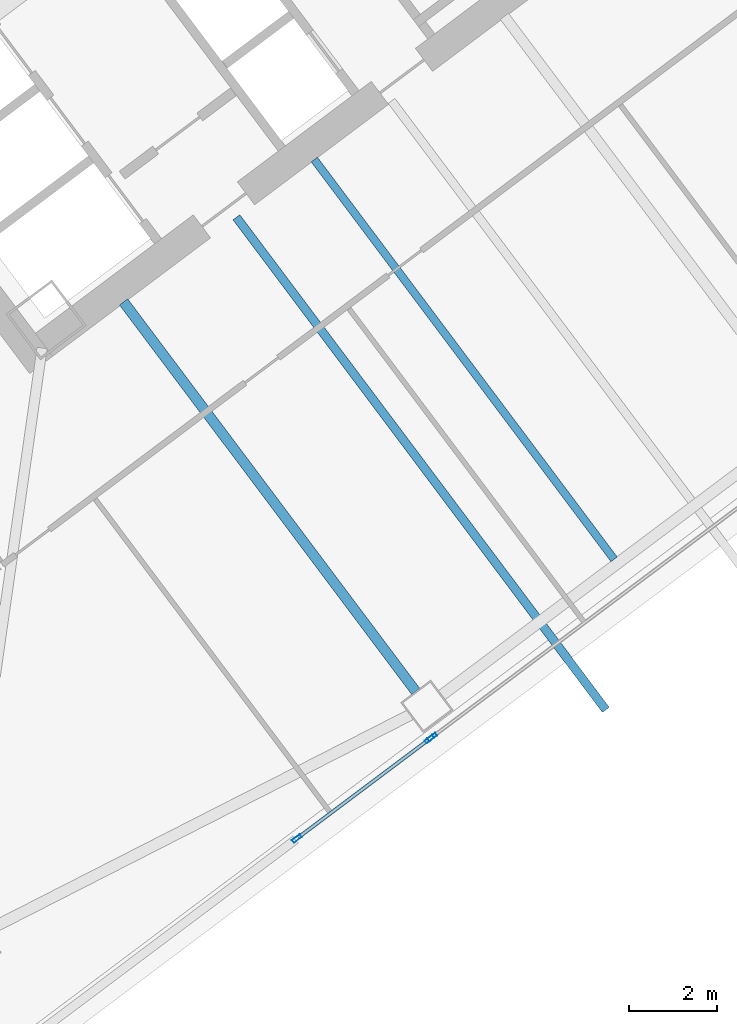
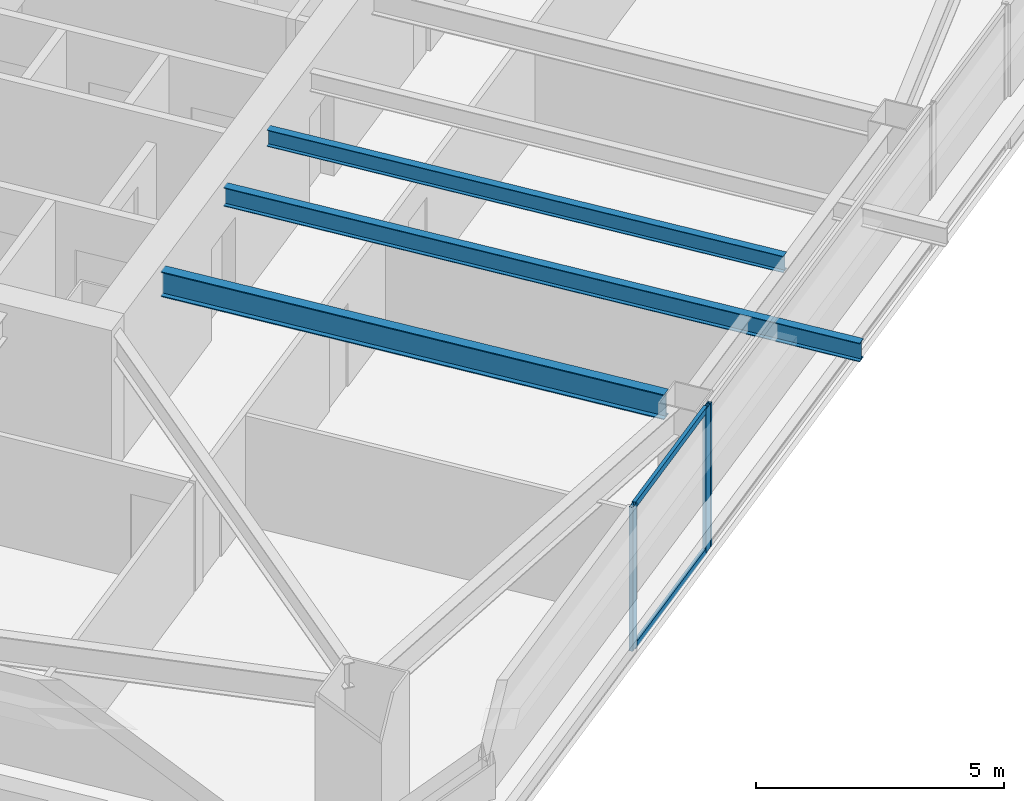
# One storey, part 23 of 44: 5 members, 3 beams, 2 elements without a shape of their own.
"""IFC4 building model written with IfcOpenShell, lengths in metres."""

from ifc_helpers import new_model, si_unit, direction, frame, origin, origin_2d, place, context, subcontext, project, spatial, hollow_rectangle, i_section, extrude, material, material_profile, profile_set, type_object, element, aggregate, save


model = new_model("IFC4")

# Units and contexts
model_context = context("Model", 3, precision=1e-05, world=origin(), true_north=direction((0.0, 1.0)))
body_context = subcontext(model_context, "Body", "Model", "MODEL_VIEW")
ifc_project = project(units=[si_unit("LENGTHUNIT", "METRE"), si_unit("AREAUNIT", "SQUARE_METRE"), si_unit("VOLUMEUNIT", "CUBIC_METRE"), si_unit("PLANEANGLEUNIT", "RADIAN"), si_unit("MASSUNIT", "GRAM", prefix="KILO")], contexts=[model_context])

# Site, building, storey
site_placement = place(None, origin())
site = spatial("IfcSite", under=ifc_project, at=site_placement, CompositionType="ELEMENT")
building_placement = place(site_placement, origin())
building = spatial("IfcBuilding", under=site, at=building_placement, Name="Tashvorn Skyway Center", CompositionType="ELEMENT")
storey_placement = place(building_placement, frame((0.0, 0.0, 74.300048828125)))
storey = spatial("IfcBuildingStorey", under=building, at=storey_placement, Name="L19", CompositionType="ELEMENT", Elevation=74.300048828125)

# Beams
ifc_material_1 = material(Name="Steel ASTM A992 Grade 50", Category="steel")
ifc_material_profile_1 = material_profile(ifc_material_1, i_section(OverallWidth=0.22998046875, OverallDepth=0.616943359375, WebThickness=0.01318359375, FlangeThickness=0.022216796875, at=origin_2d()), Name="W24X94")
ifc_profile_set_1 = profile_set([ifc_material_profile_1], Name="Steel ASTM A992 Grade 50")
beam_type_1 = type_object("IfcBeamType", Name="BM-BEAM-W24X94", PredefinedType="BEAM", material=ifc_profile_set_1)
beam_1_placement = place(storey_placement, frame((120.97802734375, 13.696044921875, 3.04150390625), z_axis=(-0.60001414024, 0.799989394625, 0.0), x_axis=(-0.799989394625, -0.60001414024, 0.0)))
element("IfcBeam", 1, at=beam_1_placement, inside=storey, type_object=beam_type_1, Name="Tower 2 L19 Primary Floor Girder FC-S1", PredefinedType="BEAM", context=body_context, shape_type="SweptSolid", body=[
    extrude(i_section(OverallWidth=0.22998046875, OverallDepth=0.616943359375, WebThickness=0.01318359375, FlangeThickness=0.022216796875, at=origin_2d()), origin(), (0.0, 0.0, 1.0), 11.050048828125),
])
ifc_material_profile_2 = material_profile(ifc_material_1, i_section(OverallWidth=0.177978515625, OverallDepth=0.406005859375, WebThickness=0.0078125, FlangeThickness=0.0126953125, at=origin_2d()), Name="W16X40")
ifc_profile_set_2 = profile_set([ifc_material_profile_2], Name="Steel ASTM A992 Grade 50")
beam_type_2 = type_object("IfcBeamType", Name="BM-JOIST-W16X40", PredefinedType="JOIST", material=ifc_profile_set_2)
beam_2_placement = place(storey_placement, frame((118.674072265625, 25.76806640625, 3.14697265625), z_axis=(0.599996555327, -0.800002583493, 0.0), x_axis=(0.800002583493, 0.599996555327, 0.0)))
element("IfcBeam", 2, at=beam_2_placement, inside=storey, type_object=beam_type_2, Name="Tower 2 L19 Secondary Composite Joist JS", PredefinedType="JOIST", context=body_context, shape_type="SweptSolid", body=[
    extrude(i_section(OverallWidth=0.177978515625, OverallDepth=0.406005859375, WebThickness=0.0078125, FlangeThickness=0.0126953125, at=origin_2d()), origin(), (0.0, 0.0, 1.0), 11.340087890625),
])
ifc_material_profile_3 = material_profile(ifc_material_1, i_section(OverallWidth=0.19091796875, OverallDepth=0.4599609375, WebThickness=0.010009765625, FlangeThickness=0.01611328125, at=origin_2d()), Name="W18X55")
ifc_profile_set_3 = profile_set([ifc_material_profile_3], Name="Steel ASTM A992 Grade 50")
beam_type_3 = type_object("IfcBeamType", Name="BM-JOIST-W18X55", PredefinedType="JOIST", material=ifc_profile_set_3)
beam_3_placement = place(storey_placement, frame((116.907958984375, 24.4560546875, 3.119873046875), z_axis=(0.600002796153, -0.799997902878, 0.0), x_axis=(0.799997902878, 0.600002796153, 0.0)))
element("IfcBeam", 3, at=beam_3_placement, inside=storey, type_object=beam_type_3, Name="Tower 2 L20 Terrace Cantilever Outlooker 1", PredefinedType="JOIST", context=body_context, shape_type="SweptSolid", body=[
    extrude(i_section(OverallWidth=0.19091796875, OverallDepth=0.4599609375, WebThickness=0.010009765625, FlangeThickness=0.01611328125, at=origin_2d()), origin(), (0.0, 0.0, 1.0), 13.969970703125),
])

# Curtain wall, member
ifc_material_2 = material(Name="Thermally broken bronze-anodized aluminium 6063-T6", Category="aluminium")
curtain_wall_type = type_object("IfcCurtainWallType", Name="CW-CW-Z2", PredefinedType="NOTDEFINED", material=ifc_material_2)
curtain_wall_1_placement = place(storey_placement, origin())
curtain_wall_1 = element("IfcCurtainWall", 4, at=curtain_wall_1_placement, inside=storey, type_object=curtain_wall_type, Name="Tower 2 L19 South Unitised Curtain Wall Glazing Group 2", PredefinedType="NOTDEFINED")
ifc_material_profile_4 = material_profile(ifc_material_2, hollow_rectangle(XDim=0.080078125, YDim=0.219970703125, WallThickness=0.0048828125, at=origin_2d()), Name="ALU-MULL-80x220")
ifc_profile_set_4 = profile_set([ifc_material_profile_4], Name="Thermally broken bronze-anodized aluminium 6063-T6")
member_type_1 = type_object("IfcMemberType", Name="CWM-CW-Z2", PredefinedType="MULLION", material=ifc_profile_set_4)
member_1_placement = place(storey_placement, frame((121.35205078125, 12.6640625, 0.0), z_axis=(0.0, 0.0, 1.0), x_axis=(0.600000000002, -0.799999999998, 0.0)))
member_1 = element("IfcMember", 5, at=member_1_placement, type_object=member_type_1, Name="CW-Z2 mullion 2", PredefinedType="MULLION", context=body_context, shape_type="SweptSolid", body=[
    extrude(hollow_rectangle(XDim=0.080078125, YDim=0.219970703125, WallThickness=0.0048828125, at=origin_2d()), origin(), (0.0, 0.0, 1.0), 3.550048828125),
])
aggregate(curtain_wall_1, [member_1])

# Curtain wall, members
curtain_wall_2_placement = place(storey_placement, origin())
curtain_wall_2 = element("IfcCurtainWall", 6, at=curtain_wall_2_placement, inside=storey, type_object=curtain_wall_type, Name="Tower 2 L19 South Unitised Curtain Wall Glazing Group 3", PredefinedType="NOTDEFINED")
member_2_placement = place(storey_placement, frame((121.2880859375, 12.615966796875, 0.0), z_axis=(0.0, 0.0, 1.0), x_axis=(0.600000000002, -0.799999999998, 0.0)))
member_2 = element("IfcMember", 7, at=member_2_placement, type_object=member_type_1, Name="CW-Z2 mullion 1", PredefinedType="MULLION", context=body_context, shape_type="SweptSolid", body=[
    extrude(hollow_rectangle(XDim=0.080078125, YDim=0.219970703125, WallThickness=0.0048828125, at=origin_2d()), origin(), (0.0, 0.0, 1.0), 3.550048828125),
])
member_3_placement = place(storey_placement, frame((118.280029296875, 10.360107421875, 0.0), z_axis=(0.0, 0.0, 1.0), x_axis=(0.600000000002, -0.799999999998, 0.0)))
member_3 = element("IfcMember", 8, at=member_3_placement, type_object=member_type_1, Name="CW-Z2 mullion 2", PredefinedType="MULLION", context=body_context, shape_type="SweptSolid", body=[
    extrude(hollow_rectangle(XDim=0.080078125, YDim=0.219970703125, WallThickness=0.0048828125, at=origin_2d()), origin(), (0.0, 0.0, 1.0), 3.550048828125),
])
ifc_material_profile_5 = material_profile(ifc_material_2, hollow_rectangle(XDim=0.080078125, YDim=0.14990234375, WallThickness=0.00439453125, at=origin_2d()), Name="ALU-TRAN-80x150")
ifc_profile_set_5 = profile_set([ifc_material_profile_5], Name="Thermally broken bronze-anodized aluminium 6063-T6")
member_type_2 = type_object("IfcMemberType", Name="CWT-CW-Z2", PredefinedType="USERDEFINED", material=ifc_profile_set_5)
member_4_placement = place(storey_placement, frame((121.256103515625, 12.592041015625, 0.0400390625), z_axis=(-0.800007960868, -0.599989385363, 0.0), x_axis=(0.599989385363, -0.800007960868, 0.0)))
member_4 = element("IfcMember", 9, at=member_4_placement, type_object=member_type_2, Name="CW-Z2 transom 1.1", ObjectType="TRANSOM", PredefinedType="USERDEFINED", context=body_context, shape_type="SweptSolid", body=[
    extrude(hollow_rectangle(XDim=0.080078125, YDim=0.14990234375, WallThickness=0.00439453125, at=origin_2d()), origin(), (0.0, 0.0, 1.0), 3.68017578125),
])
member_5_placement = place(storey_placement, frame((121.256103515625, 12.592041015625, 3.510009765625), z_axis=(-0.800007960868, -0.599989385363, 0.0), x_axis=(0.599989385363, -0.800007960868, 0.0)))
member_5 = element("IfcMember", 10, at=member_5_placement, type_object=member_type_2, Name="CW-Z2 transom 1.2", ObjectType="TRANSOM", PredefinedType="USERDEFINED", context=body_context, shape_type="SweptSolid", body=[
    extrude(hollow_rectangle(XDim=0.080078125, YDim=0.14990234375, WallThickness=0.00439453125, at=origin_2d()), origin(), (0.0, 0.0, 1.0), 3.68017578125),
])
aggregate(curtain_wall_2, [member_2, member_3, member_4, member_5])

save(model, "model.ifc")
